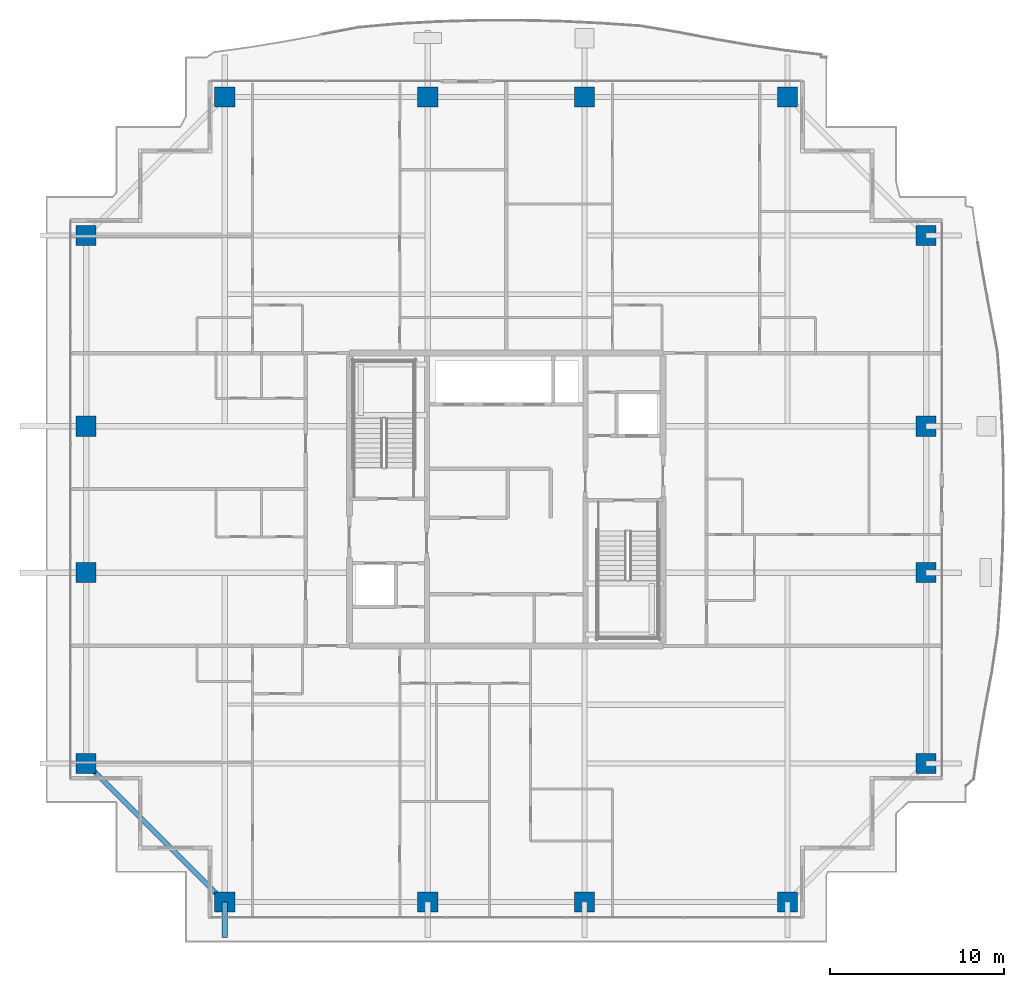
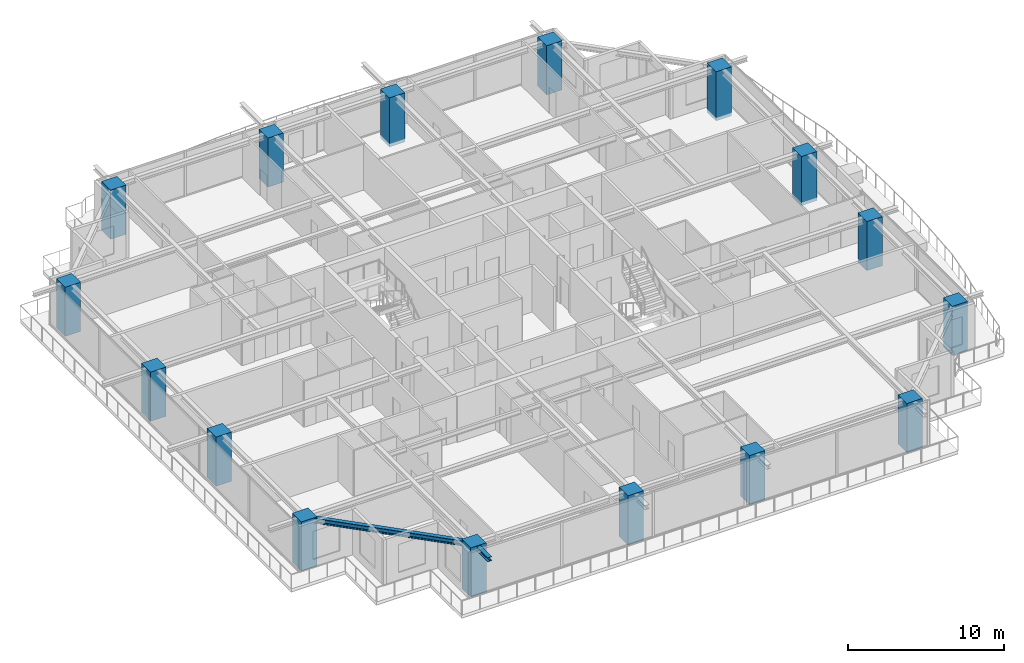
# One storey, part 1 of 37: 16 columns, 2 beams.
"""IFC4 building model written with IfcOpenShell, lengths in metres."""

from ifc_helpers import new_model, si_unit, direction, frame, origin, origin_2d, place, context, subcontext, project, spatial, rectangle, i_section, extrude, source, transform, mapped, material, material_profile, profile_set, type_object, element, save


model = new_model("IFC4")

# Units and contexts
model_context = context("Model", 3, precision=1e-05, world=origin(), true_north=direction((0.0, 1.0)))
body_context = subcontext(model_context, "Body", "Model", "MODEL_VIEW")
ifc_project = project(units=[si_unit("LENGTHUNIT", "METRE"), si_unit("AREAUNIT", "SQUARE_METRE"), si_unit("VOLUMEUNIT", "CUBIC_METRE"), si_unit("PLANEANGLEUNIT", "RADIAN"), si_unit("MASSUNIT", "GRAM", prefix="KILO")], contexts=[model_context])

# Site, building, storey
site_placement = place(None, origin())
site = spatial("IfcSite", under=ifc_project, at=site_placement, CompositionType="ELEMENT")
building_placement = place(site_placement, origin())
building = spatial("IfcBuilding", under=site, at=building_placement, Name="Serunith Strait Residences", CompositionType="ELEMENT")
storey_placement = place(building_placement, frame((0.0, 0.0, 233.550048828125)))
storey = spatial("IfcBuildingStorey", under=building, at=storey_placement, Name="L58", CompositionType="ELEMENT", Elevation=233.550048828125)

# Columns
ifc_material_1 = material(Name="Concrete C80/95", Category="concrete")
ifc_material_profile_1 = material_profile(ifc_material_1, rectangle(XDim=1.14990234375, YDim=1.14990234375, at=origin_2d()), Name="RC 1150x1150")
ifc_profile_set_1 = profile_set([ifc_material_profile_1], Name="Concrete C80/95")
column_type = type_object("IfcColumnType", Name="COL-RC-1150", PredefinedType="COLUMN", material=ifc_profile_set_1)
shared_shape_1 = source(origin(), body_context, "Body", "SweptSolid", [
    extrude(rectangle(XDim=1.14990234375, YDim=1.14990234375, at=origin_2d()), origin(), (0.0, 0.0, 1.0), 3.849853515625),
])
for number, where, z_axis, x_axis, name in (
    (1, (16.25, 2.10009765625, -0.260009765625), (0.0, 0.0, 1.0), (1.0, 0.0, 0.0), "L58 Tower Mega-Column TC-S1"),
    (2, (27.89990234375, 2.10009765625, -0.260009765625), (0.0, 0.0, 1.0), (1.0, 0.0, 0.0), "L58 Tower Mega-Column TC-S2"),
    (3, (36.89990234375, 2.10009765625, -0.260009765625), (0.0, 0.0, 1.0), (1.0, 0.0, 0.0), "L58 Tower Mega-Column TC-S3"),
    (4, (48.550048828125, 2.10009765625, -0.260009765625), (0.0, 0.0, 1.0), (1.0, 0.0, 0.0), "L58 Tower Mega-Column TC-S4"),
    (5, (16.25, 48.300048828125, -0.260009765625), (0.0, 0.0, 1.0), (1.0, 0.0, 0.0), "L58 Tower Mega-Column TC-N1"),
    (6, (27.89990234375, 48.300048828125, -0.260009765625), (0.0, 0.0, 1.0), (1.0, 0.0, 0.0), "L58 Tower Mega-Column TC-N2"),
    (7, (36.89990234375, 48.300048828125, -0.260009765625), (0.0, 0.0, 1.0), (1.0, 0.0, 0.0), "L58 Tower Mega-Column TC-N3"),
    (8, (48.550048828125, 48.300048828125, -0.260009765625), (0.0, 0.0, 1.0), (1.0, 0.0, 0.0), "L58 Tower Mega-Column TC-N4"),
    (9, (56.5, 10.050048828125, -0.260009765625), (0.0, 0.0, 1.0), (1.0, 0.0, 0.0), "L58 Tower Mega-Column TC-E1"),
    (10, (56.5, 21.0, -0.260009765625), (0.0, 0.0, 1.0), (1.0, 0.0, 0.0), "L58 Tower Mega-Column TC-E2"),
    (11, (56.5, 29.39990234375, -0.260009765625), (0.0, 0.0, 1.0), (1.0, 0.0, 0.0), "L58 Tower Mega-Column TC-E3"),
    (12, (56.5, 40.35009765625, -0.260009765625), (0.0, 0.0, 1.0), (1.0, 0.0, 0.0), "L58 Tower Mega-Column TC-E4"),
    (13, (8.300048828125, 10.050048828125, -0.260009765625), (0.0, 0.0, 1.0), (1.0, 0.0, 0.0), "L58 Tower Mega-Column TC-W1"),
    (14, (8.300048828125, 21.0, -0.260009765625), (0.0, 0.0, 1.0), (1.0, 0.0, 0.0), "L58 Tower Mega-Column TC-W2"),
    (15, (8.300048828125, 29.39990234375, -0.260009765625), (0.0, 0.0, 1.0), (1.0, 0.0, 0.0), "L58 Tower Mega-Column TC-W3"),
    (16, (8.300048828125, 40.35009765625, -0.260009765625), (0.0, 0.0, 1.0), (1.0, 0.0, 0.0), "L58 Tower Mega-Column TC-W4"),
):
    element("IfcColumn", number, at=place(storey_placement, frame(where, z_axis=z_axis, x_axis=x_axis)), inside=storey, type_object=column_type, Name=name, PredefinedType="COLUMN", context=body_context, shape_type="MappedRepresentation", body=[
        mapped(shared_shape_1, transform((0.0, 0.0, 0.0), scale=1.0)),
    ])

# Beams
ifc_material_2 = material(Name="Steel S355J2", Category="steel")
ifc_material_profile_2 = material_profile(ifc_material_2, i_section(OverallWidth=0.300048828125, OverallDepth=0.39990234375, WebThickness=0.013427734375, FlangeThickness=0.02392578125, FilletRadius=0.027099609375, at=origin_2d()), Name="HEB 400")
ifc_profile_set_2 = profile_set([ifc_material_profile_2], Name="Steel S355J2")
beam_type_1 = type_object("IfcBeamType", Name="BM-HEB400", PredefinedType="BEAM", material=ifc_profile_set_2)
shared_shape_2 = source(origin(), body_context, "Body", "SweptSolid", [
    extrude(i_section(OverallWidth=0.300048828125, OverallDepth=0.39990234375, WebThickness=0.013427734375, FlangeThickness=0.02392578125, FilletRadius=0.027099609375, at=origin_2d()), origin(), (0.0, 0.0, 1.0), 11.242919921875),
])
beam_1_placement = place(storey_placement, frame((8.300048828125, 10.050048828125, 3.35693359375), z_axis=(0.707106781187, -0.707106781187, 0.0), x_axis=(0.707106781187, 0.707106781187, 0.0)))
element("IfcBeam", 17, at=beam_1_placement, inside=storey, type_object=beam_type_1, Name="L58 Perimeter Ring Beam 16", PredefinedType="BEAM", context=body_context, shape_type="MappedRepresentation", body=[
    mapped(shared_shape_2, transform((0.0, 0.0, 0.0), scale=1.0)),
])
ifc_material_profile_3 = material_profile(ifc_material_2, i_section(OverallWidth=0.300048828125, OverallDepth=0.320068359375, WebThickness=0.011474609375, FlangeThickness=0.0205078125, FilletRadius=0.027099609375, at=origin_2d()), Name="HEB 320")
ifc_profile_set_3 = profile_set([ifc_material_profile_3], Name="Steel S355J2")
beam_type_2 = type_object("IfcBeamType", Name="BM-HEB320", PredefinedType="BEAM", material=ifc_profile_set_3)
shared_shape_3 = source(origin(), body_context, "Body", "SweptSolid", [
    extrude(i_section(OverallWidth=0.300048828125, OverallDepth=0.320068359375, WebThickness=0.011474609375, FlangeThickness=0.0205078125, FilletRadius=0.027099609375, at=origin_2d()), origin(), (0.0, 0.0, 1.0), 2.030029296875),
])
beam_2_placement = place(storey_placement, frame((16.25, 2.10009765625, 3.39697265625), z_axis=(0.0, -1.0, 0.0), x_axis=(1.0, 0.0, 0.0)))
element("IfcBeam", 18, at=beam_2_placement, inside=storey, type_object=beam_type_2, Name="L59 Cantilevered Balcony Rib TC-S1", PredefinedType="BEAM", context=body_context, shape_type="MappedRepresentation", body=[
    mapped(shared_shape_3, transform((0.0, 0.0, 0.0), scale=1.0)),
])

save(model, "model.ifc")
